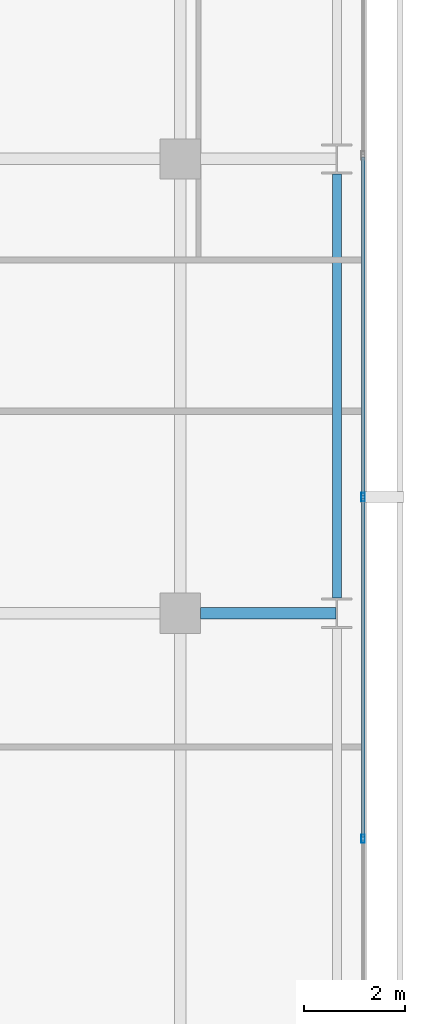
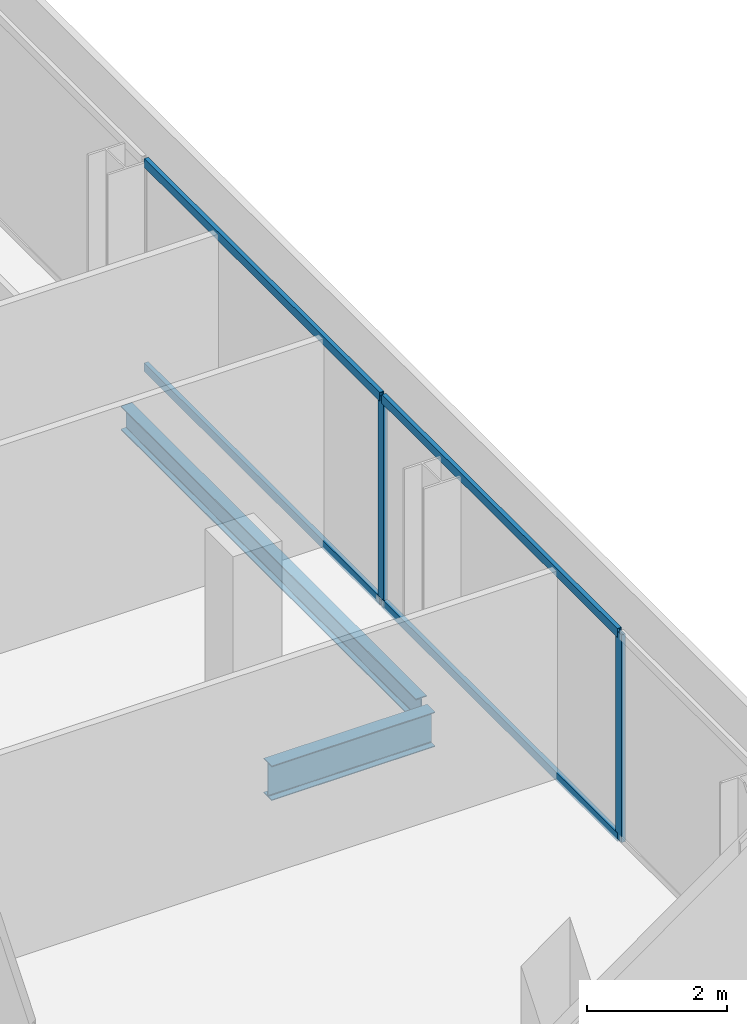
# One storey, part 17 of 32: 6 members, 2 beams, 1 element without a shape of its own.
"""IFC4 building model written with IfcOpenShell, lengths in metres."""

from ifc_helpers import new_model, si_unit, direction, frame, origin, origin_2d, place, context, subcontext, project, spatial, hollow_rectangle, i_section, extrude, material, layer, layer_set, material_profile, profile_set, type_object, element, aggregate, save


model = new_model("IFC4")

# Units and contexts
model_context = context("Model", 3, precision=1e-05, world=origin(), true_north=direction((0.0, 1.0)))
body_context = subcontext(model_context, "Body", "Model", "MODEL_VIEW")
ifc_project = project(units=[si_unit("LENGTHUNIT", "METRE"), si_unit("AREAUNIT", "SQUARE_METRE"), si_unit("VOLUMEUNIT", "CUBIC_METRE"), si_unit("PLANEANGLEUNIT", "RADIAN"), si_unit("MASSUNIT", "GRAM", prefix="KILO")], contexts=[model_context])

# Site, building, storey
site_placement = place(None, origin())
site = spatial("IfcSite", under=ifc_project, at=site_placement, CompositionType="ELEMENT")
building_placement = place(site_placement, origin())
building = spatial("IfcBuilding", under=site, at=building_placement, Name="Maruvema Waterfront Hotel and Observation Tower", CompositionType="ELEMENT")
storey_placement = place(building_placement, frame((0.0, 0.0, 162.050048828125)))
storey = spatial("IfcBuildingStorey", under=building, at=storey_placement, Name="L39", CompositionType="ELEMENT", Elevation=162.050048828125)

# Curtain wall, members
ifc_material_1 = material(Name="Anodised bronze aluminium and solar-control low-E IGU", Category="aluminium")
ifc_layer = layer(ifc_material_1, 0.159912109375, Name="Zone 2 Amber Inner Thermal Curtain Wall System CW-03")
ifc_layer_set = layer_set([ifc_layer], Name="Anodised bronze aluminium and solar-control low-E IGU")
curtain_wall_type = type_object("IfcCurtainWallType", Name="Zone 2 Amber Inner Thermal Curtain Wall System CW-03", PredefinedType="USERDEFINED", material=ifc_layer_set)
curtain_wall_placement = place(storey_placement, origin())
curtain_wall = element("IfcCurtainWall", 1, at=curtain_wall_placement, inside=storey, type_object=curtain_wall_type, Name="L39 Curtain Wall CW-L39-E", ObjectType="UNITISED CURTAIN WALL", PredefinedType="USERDEFINED")
ifc_material_2 = material(Name="Anodised architectural bronze aluminium", Category="aluminium")
ifc_material_profile_1 = material_profile(ifc_material_2, hollow_rectangle(XDim=0.070068359375, YDim=0.14990234375, WallThickness=0.00390625, at=origin_2d()), Name="ALU-T70x150")
ifc_profile_set_1 = profile_set([ifc_material_profile_1], Name="Anodised architectural bronze aluminium")
member_type_1 = type_object("IfcMemberType", Name="Curtain Wall Horizontal Transom ALU-T70x150", PredefinedType="USERDEFINED", material=ifc_profile_set_1)
member_1_placement = place(storey_placement, frame((62.419921875, 22.563232421875, 0.030029296875), z_axis=(0.0, 1.0, 0.0), x_axis=(-1.0, 0.0, 0.0)))
member_1 = element("IfcMember", 2, at=member_1_placement, type_object=member_type_1, Name="CW-03 transom 3.1", ObjectType="TRANSOM", PredefinedType="USERDEFINED", context=body_context, shape_type="SweptSolid", body=[
    extrude(hollow_rectangle(XDim=0.070068359375, YDim=0.14990234375, WallThickness=0.00390625, at=origin_2d()), origin(), (0.0, 0.0, 1.0), 6.706787109375),
])
member_2_placement = place(storey_placement, frame((62.419921875, 22.563232421875, 3.579833984375), z_axis=(0.0, 1.0, 0.0), x_axis=(-1.0, 0.0, 0.0)))
member_2 = element("IfcMember", 3, at=member_2_placement, type_object=member_type_1, Name="CW-03 transom 3.2", ObjectType="TRANSOM", PredefinedType="USERDEFINED", context=body_context, shape_type="SweptSolid", body=[
    extrude(hollow_rectangle(XDim=0.070068359375, YDim=0.14990234375, WallThickness=0.00390625, at=origin_2d()), origin(), (0.0, 0.0, 1.0), 6.706787109375),
])
member_3_placement = place(storey_placement, frame((62.419921875, 29.330078125, 0.030029296875), z_axis=(0.0, 1.0, 0.0), x_axis=(-1.0, 0.0, 0.0)))
member_3 = element("IfcMember", 4, at=member_3_placement, type_object=member_type_1, Name="CW-03 transom 4.1", ObjectType="TRANSOM", PredefinedType="USERDEFINED", context=body_context, shape_type="SweptSolid", body=[
    extrude(hollow_rectangle(XDim=0.070068359375, YDim=0.14990234375, WallThickness=0.00390625, at=origin_2d()), origin(), (0.0, 0.0, 1.0), 6.70654296875),
])
member_4_placement = place(storey_placement, frame((62.419921875, 29.330078125, 3.579833984375), z_axis=(0.0, 1.0, 0.0), x_axis=(-1.0, 0.0, 0.0)))
member_4 = element("IfcMember", 5, at=member_4_placement, type_object=member_type_1, Name="CW-03 transom 4.2", ObjectType="TRANSOM", PredefinedType="USERDEFINED", context=body_context, shape_type="SweptSolid", body=[
    extrude(hollow_rectangle(XDim=0.070068359375, YDim=0.14990234375, WallThickness=0.00390625, at=origin_2d()), origin(), (0.0, 0.0, 1.0), 6.70654296875),
])
ifc_material_3 = material(Name="Anodised architectural bronze aluminium", Category="aluminium")
ifc_material_profile_2 = material_profile(ifc_material_3, hollow_rectangle(XDim=0.06494140625, YDim=0.1650390625, WallThickness=0.00390625, at=origin_2d()), Name="ALU-M65x165")
ifc_profile_set_2 = profile_set([ifc_material_profile_2], Name="Anodised architectural bronze aluminium")
member_type_2 = type_object("IfcMemberType", Name="Curtain Wall Primary Mullion ALU-M65x165", PredefinedType="MULLION", material=ifc_profile_set_2)
member_5_placement = place(storey_placement, frame((62.419921875, 22.533447265625, 0.0), z_axis=(0.0, 0.0, 1.0), x_axis=(-1.0, 0.0, 0.0)))
member_5 = element("IfcMember", 6, at=member_5_placement, type_object=member_type_2, Name="CW-03 mullion 3", PredefinedType="MULLION", context=body_context, shape_type="SweptSolid", body=[
    extrude(hollow_rectangle(XDim=0.06494140625, YDim=0.1650390625, WallThickness=0.00390625, at=origin_2d()), origin(), (0.0, 0.0, 1.0), 3.60986328125),
])
member_6_placement = place(storey_placement, frame((62.419921875, 29.300048828125, 0.0), z_axis=(0.0, 0.0, 1.0), x_axis=(-1.0, 0.0, 0.0)))
member_6 = element("IfcMember", 7, at=member_6_placement, type_object=member_type_2, Name="CW-03 mullion 4", PredefinedType="MULLION", context=body_context, shape_type="SweptSolid", body=[
    extrude(hollow_rectangle(XDim=0.06494140625, YDim=0.1650390625, WallThickness=0.00390625, at=origin_2d()), origin(), (0.0, 0.0, 1.0), 3.60986328125),
])
aggregate(curtain_wall, [member_5, member_6, member_1, member_2, member_3, member_4])

# Beams
ifc_material_4 = material(Name="Steel ASTM A572 Grade 50", Category="steel")
ifc_material_profile_3 = material_profile(ifc_material_4, i_section(OverallWidth=0.180908203125, OverallDepth=0.4169921875, WebThickness=0.010986328125, FlangeThickness=0.018310546875, FilletRadius=0.014892578125, at=origin_2d()), Name="W410x85.0")
ifc_profile_set_3 = profile_set([ifc_material_profile_3], Name="Steel ASTM A572 Grade 50")
beam_type_1 = type_object("IfcBeamType", Name="Perimeter Spandrel Beam W410x85.0", PredefinedType="SPANDREL", material=ifc_profile_set_3)
beam_1_placement = place(storey_placement, frame((61.89990234375, 27.300048828125, -0.448486328125), z_axis=(0.0, 1.0, 0.0), x_axis=(-1.0, 0.0, 0.0)))
element("IfcBeam", 8, at=beam_1_placement, inside=storey, type_object=beam_type_1, Name="L39 Floor Girder NS-31", PredefinedType="SPANDREL", context=body_context, shape_type="SweptSolid", body=[
    extrude(i_section(OverallWidth=0.180908203125, OverallDepth=0.4169921875, WebThickness=0.010986328125, FlangeThickness=0.018310546875, FilletRadius=0.014892578125, at=origin_2d()), origin(), (0.0, 0.0, 1.0), 8.39990234375),
])
ifc_material_5 = material(Name="Steel ASTM A572 Grade 50", Category="steel")
ifc_material_profile_4 = material_profile(ifc_material_5, i_section(OverallWidth=0.22802734375, OverallDepth=0.60302734375, WebThickness=0.010498046875, FlangeThickness=0.014892578125, FilletRadius=0.01806640625, at=origin_2d()), Name="W610x101.0")
ifc_profile_set_4 = profile_set([ifc_material_profile_4], Name="Steel ASTM A572 Grade 50")
beam_type_2 = type_object("IfcBeamType", Name="Primary Floor Girder W610x101.0", PredefinedType="BEAM", material=ifc_profile_set_4)
beam_2_placement = place(storey_placement, frame((59.199951171875, 27.0, -0.54150390625), z_axis=(1.0, 0.0, 0.0), x_axis=(0.0, 1.0, 0.0)))
element("IfcBeam", 9, at=beam_2_placement, inside=storey, type_object=beam_type_2, Name="L39 Floor Girder EW-22", PredefinedType="BEAM", context=body_context, shape_type="SweptSolid", body=[
    extrude(i_section(OverallWidth=0.22802734375, OverallDepth=0.60302734375, WebThickness=0.010498046875, FlangeThickness=0.014892578125, FilletRadius=0.01806640625, at=origin_2d()), origin(), (0.0, 0.0, 1.0), 2.6875),
])

save(model, "model.ifc")
